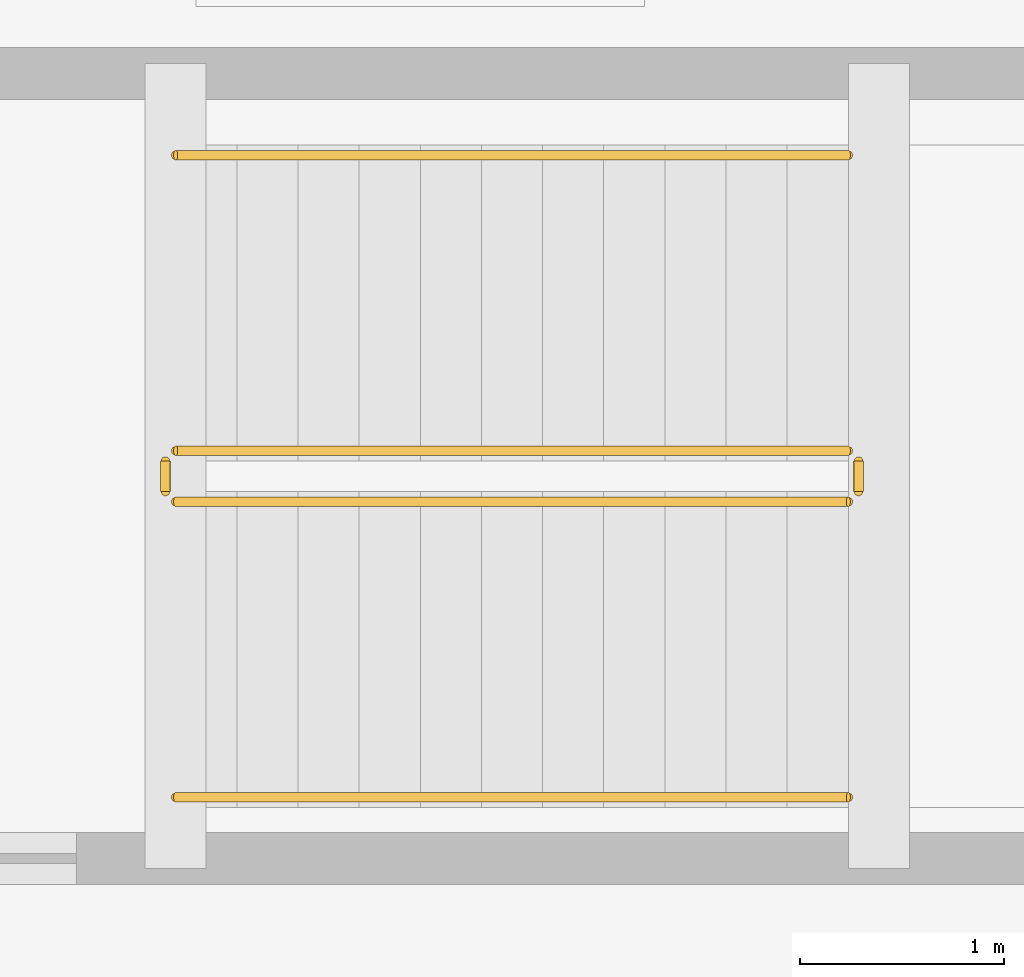
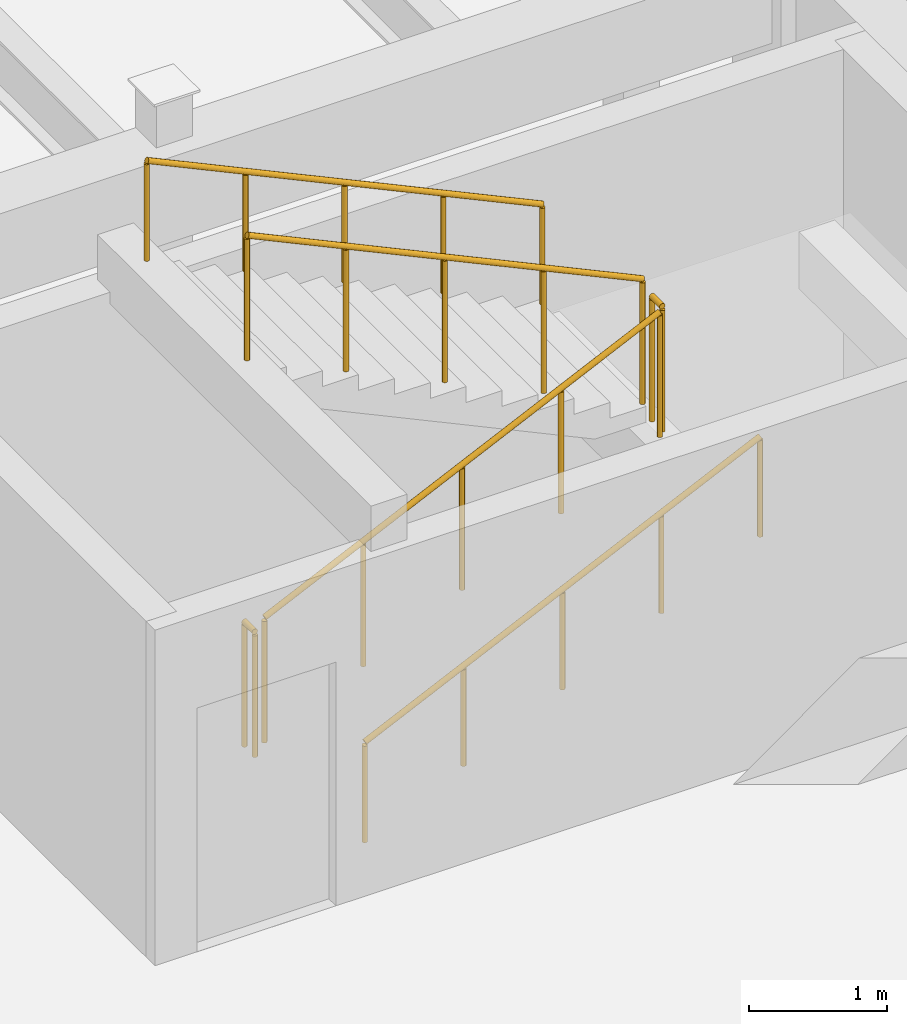
# One storey, part 61 of 70: 6 railings.
"""IFC4 building model written with IfcOpenShell, lengths in metres."""

from ifc_helpers import new_model, si_unit, direction, frame, origin, origin_2d, place, context, subcontext, project, spatial, circle, extrude, material, type_object, element, save


model = new_model("IFC4")

# Units and contexts
model_context = context("Model", 3, precision=1e-05, world=origin(), true_north=direction((0.0, 1.0)))
body_context = subcontext(model_context, "Body", "Model", "MODEL_VIEW")
ifc_project = project(units=[si_unit("LENGTHUNIT", "METRE"), si_unit("AREAUNIT", "SQUARE_METRE"), si_unit("VOLUMEUNIT", "CUBIC_METRE"), si_unit("PLANEANGLEUNIT", "RADIAN"), si_unit("MASSUNIT", "GRAM", prefix="KILO")], contexts=[model_context])

# Site, building, storey
site_placement = place(None, origin())
site = spatial("IfcSite", under=ifc_project, at=site_placement, CompositionType="ELEMENT")
building_placement = place(site_placement, origin())
building = spatial("IfcBuilding", under=site, at=building_placement, Name="Cumbredor Promenade Congress Hotel", CompositionType="ELEMENT")
storey_placement = place(building_placement, frame((0.0, 0.0, -7.56005859375)))
storey = spatial("IfcBuildingStorey", under=building, at=storey_placement, Name="B02", CompositionType="ELEMENT", Elevation=-7.56005859375)

# Railings
ifc_material = material(Name="Brushed stainless steel", Category="steel")
railing_type_1 = type_object("IfcRailingType", Name="Interior Void & Stair Guardrail GR-1100", PredefinedType="GUARDRAIL", material=ifc_material)
railing_1_placement = place(storey_placement, frame((102.75, 46.949951171875, 0.14013671875)))
element("IfcRailing", 1, at=railing_1_placement, inside=storey, type_object=railing_type_1, Name="B02 ST-12 stair guard 1", PredefinedType="GUARDRAIL", context=body_context, shape_type="SweptSolid", body=[
    extrude(circle(Radius=0.02392578125, at=origin_2d()), frame((0.0, 0.0, 1.09619140625), z_axis=(0.906181427284, 0.0, 0.422889135408), x_axis=(0.0, 1.0, 0.0)), (0.0, 0.0, 1.0), 3.6416015625),
    extrude(circle(Radius=0.02099609375, at=origin_2d()), origin(), (0.0, 0.0, 1.0), 1.072021484375),
    extrude(circle(Radius=0.02099609375, at=origin_2d()), frame((0.824951171875, 0.0, 0.385009765625)), (0.0, 0.0, 1.0), 1.072021484375),
    extrude(circle(Radius=0.02099609375, at=origin_2d()), frame((1.64990234375, 0.0, 0.77001953125)), (0.0, 0.0, 1.0), 1.072021484375),
    extrude(circle(Radius=0.02099609375, at=origin_2d()), frame((2.47509765625, 0.0, 1.155029296875)), (0.0, 0.0, 1.0), 1.072021484375),
    extrude(circle(Radius=0.02099609375, at=origin_2d()), frame((3.300048828125, 0.0, 1.5400390625)), (0.0, 0.0, 1.0), 1.072021484375),
])
railing_2_placement = place(storey_placement, frame((106.10009765625, 47.0, 1.68017578125)))
element("IfcRailing", 2, at=railing_2_placement, inside=storey, type_object=railing_type_1, Name="B02 ST-12 stair guard 2", PredefinedType="GUARDRAIL", context=body_context, shape_type="SweptSolid", body=[
    extrude(circle(Radius=0.02392578125, at=origin_2d()), frame((0.0, 0.0, 1.09619140625), z_axis=(0.0, 1.0, 0.0), x_axis=(-1.0, 0.0, 0.0)), (0.0, 0.0, 1.0), 0.14990234375),
    extrude(circle(Radius=0.02099609375, at=origin_2d()), origin(), (0.0, 0.0, 1.0), 1.072021484375),
    extrude(circle(Radius=0.02099609375, at=origin_2d()), frame((0.0, 0.14990234375, 0.0)), (0.0, 0.0, 1.0), 1.072021484375),
])
railing_3_placement = place(storey_placement, frame((106.050048828125, 47.199951171875, 1.820068359375)))
element("IfcRailing", 3, at=railing_3_placement, inside=storey, type_object=railing_type_1, Name="B02 ST-12 stair guard 3", PredefinedType="GUARDRAIL", context=body_context, shape_type="SweptSolid", body=[
    extrude(circle(Radius=0.02392578125, at=origin_2d()), frame((0.0, 0.0, 1.09619140625), z_axis=(-0.906181427284, 0.0, 0.422889135408), x_axis=(0.0, -1.0, 0.0)), (0.0, 0.0, 1.0), 3.6416015625),
    extrude(circle(Radius=0.02099609375, at=origin_2d()), origin(), (0.0, 0.0, 1.0), 1.072021484375),
    extrude(circle(Radius=0.02099609375, at=origin_2d()), frame((-0.824951171875, 0.0, 0.385009765625)), (0.0, 0.0, 1.0), 1.072021484375),
    extrude(circle(Radius=0.02099609375, at=origin_2d()), frame((-1.64990234375, 0.0, 0.77001953125)), (0.0, 0.0, 1.0), 1.072021484375),
    extrude(circle(Radius=0.02099609375, at=origin_2d()), frame((-2.47509765625, 0.0, 1.155029296875)), (0.0, 0.0, 1.0), 1.072021484375),
    extrude(circle(Radius=0.02099609375, at=origin_2d()), frame((-3.300048828125, 0.0, 1.5400390625)), (0.0, 0.0, 1.0), 1.072021484375),
])
railing_4_placement = place(storey_placement, frame((102.699951171875, 47.0, 0.0)))
element("IfcRailing", 4, at=railing_4_placement, inside=storey, type_object=railing_type_1, Name="B02 ST-12 stair guard 4", PredefinedType="GUARDRAIL", context=body_context, shape_type="SweptSolid", body=[
    extrude(circle(Radius=0.02392578125, at=origin_2d()), frame((0.0, 0.0, 1.09619140625), z_axis=(0.0, 1.0, 0.0), x_axis=(-1.0, 0.0, 0.0)), (0.0, 0.0, 1.0), 0.14990234375),
    extrude(circle(Radius=0.02099609375, at=origin_2d()), origin(), (0.0, 0.0, 1.0), 1.072021484375),
    extrude(circle(Radius=0.02099609375, at=origin_2d()), frame((0.0, 0.14990234375, 0.0)), (0.0, 0.0, 1.0), 1.072021484375),
])
railing_type_2 = type_object("IfcRailingType", Name="Stair Pitch Handrail HR-900", PredefinedType="HANDRAIL", material=ifc_material)
railing_5_placement = place(storey_placement, frame((102.75, 45.5, 0.14013671875)))
element("IfcRailing", 5, at=railing_5_placement, inside=storey, type_object=railing_type_2, Name="B02 ST-12 stair handrail 1", PredefinedType="HANDRAIL", context=body_context, shape_type="SweptSolid", body=[
    extrude(circle(Radius=0.02392578125, at=origin_2d()), frame((0.0, 0.0, 0.8759765625), z_axis=(0.906181427284, 0.0, 0.422889135408), x_axis=(0.0, 1.0, 0.0)), (0.0, 0.0, 1.0), 3.6416015625),
    extrude(circle(Radius=0.02099609375, at=origin_2d()), origin(), (0.0, 0.0, 1.0), 0.851806640625),
    extrude(circle(Radius=0.02099609375, at=origin_2d()), frame((0.824951171875, 0.0, 0.385009765625)), (0.0, 0.0, 1.0), 0.851806640625),
    extrude(circle(Radius=0.02099609375, at=origin_2d()), frame((1.64990234375, 0.0, 0.77001953125)), (0.0, 0.0, 1.0), 0.851806640625),
    extrude(circle(Radius=0.02099609375, at=origin_2d()), frame((2.47509765625, 0.0, 1.155029296875)), (0.0, 0.0, 1.0), 0.851806640625),
    extrude(circle(Radius=0.02099609375, at=origin_2d()), frame((3.300048828125, 0.0, 1.5400390625)), (0.0, 0.0, 1.0), 0.851806640625),
])
railing_6_placement = place(storey_placement, frame((106.050048828125, 48.64990234375, 1.820068359375)))
element("IfcRailing", 6, at=railing_6_placement, inside=storey, type_object=railing_type_2, Name="B02 ST-12 stair handrail 2", PredefinedType="HANDRAIL", context=body_context, shape_type="SweptSolid", body=[
    extrude(circle(Radius=0.02392578125, at=origin_2d()), frame((0.0, 0.0, 0.8759765625), z_axis=(-0.906181427284, 0.0, 0.422889135408), x_axis=(0.0, -1.0, 0.0)), (0.0, 0.0, 1.0), 3.6416015625),
    extrude(circle(Radius=0.02099609375, at=origin_2d()), origin(), (0.0, 0.0, 1.0), 0.851806640625),
    extrude(circle(Radius=0.02099609375, at=origin_2d()), frame((-0.824951171875, 0.0, 0.385009765625)), (0.0, 0.0, 1.0), 0.851806640625),
    extrude(circle(Radius=0.02099609375, at=origin_2d()), frame((-1.64990234375, 0.0, 0.77001953125)), (0.0, 0.0, 1.0), 0.851806640625),
    extrude(circle(Radius=0.02099609375, at=origin_2d()), frame((-2.47509765625, 0.0, 1.155029296875)), (0.0, 0.0, 1.0), 0.851806640625),
    extrude(circle(Radius=0.02099609375, at=origin_2d()), frame((-3.300048828125, 0.0, 1.5400390625)), (0.0, 0.0, 1.0), 0.851806640625),
])

save(model, "model.ifc")
